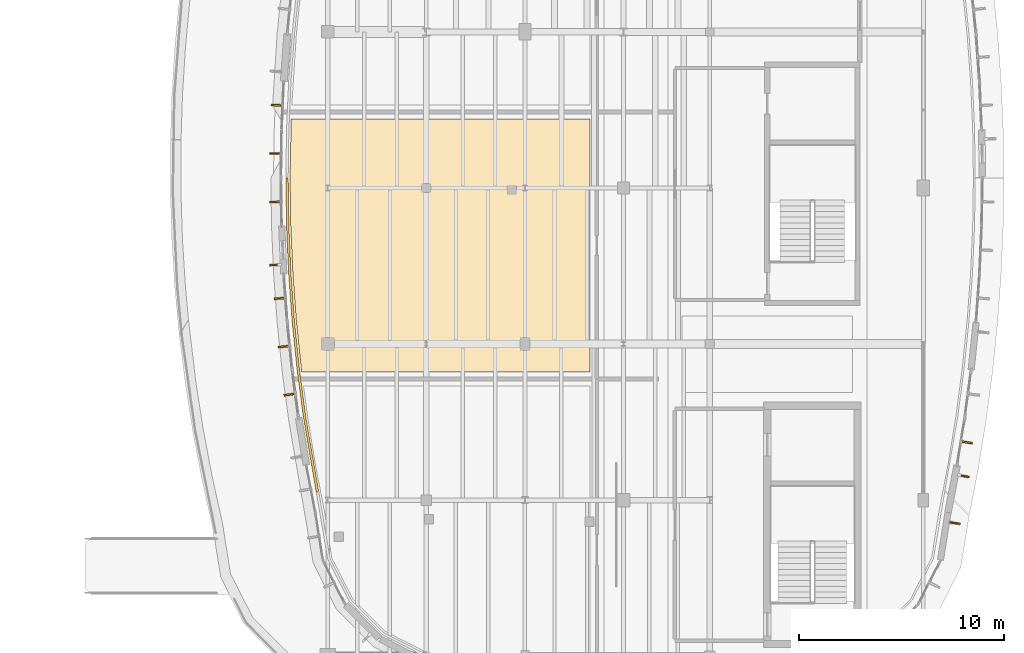
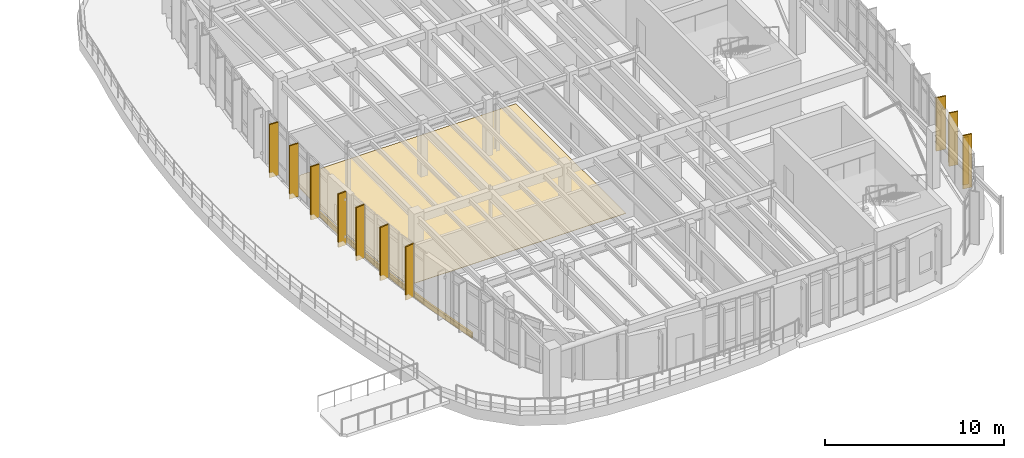
# One storey, part 101 of 105: 12 coverings, 3 shading devices.
"""IFC4 building model written with IfcOpenShell, lengths in metres."""

from ifc_helpers import new_model, si_unit, direction, frame, origin, origin_2d, place, context, subcontext, project, spatial, polyline, rectangle, outline, extrude, material, layer, layer_set, type_object, element, save


model = new_model("IFC4")

# Units and contexts
model_context = context("Model", 3, precision=1e-05, world=origin(), true_north=direction((0.0, 1.0)))
body_context = subcontext(model_context, "Body", "Model", "MODEL_VIEW")
ifc_project = project(units=[si_unit("LENGTHUNIT", "METRE"), si_unit("AREAUNIT", "SQUARE_METRE"), si_unit("VOLUMEUNIT", "CUBIC_METRE"), si_unit("PLANEANGLEUNIT", "RADIAN"), si_unit("MASSUNIT", "GRAM", prefix="KILO")], contexts=[model_context])

# Site, building, storey
site_placement = place(None, origin())
site = spatial("IfcSite", under=ifc_project, at=site_placement, CompositionType="ELEMENT")
building_placement = place(site_placement, origin())
building = spatial("IfcBuilding", under=site, at=building_placement, Name="Corveleigh Park Community Centre", CompositionType="ELEMENT")
storey_placement = place(building_placement, frame((0.0, 0.0, 8.699951171875)))
storey = spatial("IfcBuildingStorey", under=building, at=storey_placement, Name="L02", CompositionType="ELEMENT", Elevation=8.699951171875)

# Coverings
ifc_material_1 = material(Name="Warm buff ribbed architectural cladding", Category="masonry")
ifc_layer_1 = layer(ifc_material_1, 0.0849609375, Name="Warm buff ribbed architectural cladding", Category="masonry")
ifc_layer_set_1 = layer_set([ifc_layer_1], Name="Warm buff ribbed architectural cladding")
covering_type_1 = type_object("IfcCoveringType", Name="COV-CLD-BUF", PredefinedType="CLADDING", material=ifc_layer_set_1)
covering_1_placement = place(storey_placement, origin())
element("IfcCovering", 1, at=covering_1_placement, inside=storey, type_object=covering_type_1, Name="V4 L02 Brise-soleil blade 378", PredefinedType="CLADDING", context=body_context, shape_type="SweptSolid", body=[
    extrude(outline(polyline([(169.6689453125, 65.1669921875), (169.655029296875, 65.0830078125), (170.18408203125, 65.0), (170.197021484375, 65.083984375), (169.6689453125, 65.1669921875)])), origin(), (0.0, 0.0, 1.0), 3.64208984375),
])
covering_2_placement = place(storey_placement, origin())
element("IfcCovering", 2, at=covering_2_placement, inside=storey, type_object=covering_type_1, Name="V4 L02 Brise-soleil blade 379", PredefinedType="CLADDING", context=body_context, shape_type="SweptSolid", body=[
    extrude(outline(polyline([(170.10693359375, 67.466064453125), (170.091064453125, 67.383056640625), (170.616943359375, 67.281982421875), (170.633056640625, 67.364990234375), (170.10693359375, 67.466064453125)])), origin(), (0.0, 0.0, 1.0), 3.64208984375),
])
covering_3_placement = place(storey_placement, origin())
element("IfcCovering", 3, at=covering_3_placement, inside=storey, type_object=covering_type_1, Name="V4 L02 Brise-soleil blade 380", PredefinedType="CLADDING", context=body_context, shape_type="SweptSolid", body=[
    extrude(outline(polyline([(170.218994140625, 69.10498046875), (170.205078125, 69.02099609375), (170.778076171875, 68.927978515625), (170.7919921875, 69.011962890625), (170.218994140625, 69.10498046875)])), origin(), (0.0, 0.0, 1.0), 3.64208984375),
])
covering_4_placement = place(storey_placement, origin())
element("IfcCovering", 4, at=covering_4_placement, inside=storey, type_object=covering_type_1, Name="V4 L02 Brise-soleil blade 415", PredefinedType="CLADDING", context=body_context, shape_type="SweptSolid", body=[
    extrude(outline(polyline([(137.22705078125, 85.373046875), (137.22998046875, 85.4580078125), (136.65087890625, 85.48291015625), (136.64697265625, 85.39794921875), (137.22705078125, 85.373046875)])), origin(), (0.0, 0.0, 1.0), 3.636962890625),
])
covering_5_placement = place(storey_placement, origin())
element("IfcCovering", 5, at=covering_5_placement, inside=storey, type_object=covering_type_1, Name="V4 L02 Brise-soleil blade 416", PredefinedType="CLADDING", context=body_context, shape_type="SweptSolid", body=[
    extrude(outline(polyline([(137.158935546875, 83.030029296875), (137.160888671875, 83.114990234375), (136.5810546875, 83.123046875), (136.5791015625, 83.0380859375), (137.158935546875, 83.030029296875)])), origin(), (0.0, 0.0, 1.0), 3.636962890625),
])
covering_6_placement = place(storey_placement, origin())
element("IfcCovering", 6, at=covering_6_placement, inside=storey, type_object=covering_type_1, Name="V4 L02 Brise-soleil blade 417", PredefinedType="CLADDING", context=body_context, shape_type="SweptSolid", body=[
    extrude(outline(polyline([(137.160888671875, 80.68505859375), (137.158935546875, 80.77001953125), (136.5791015625, 80.761962890625), (136.5810546875, 80.677001953125), (137.160888671875, 80.68505859375)])), origin(), (0.0, 0.0, 1.0), 3.636962890625),
])
covering_7_placement = place(storey_placement, origin())
element("IfcCovering", 7, at=covering_7_placement, inside=storey, type_object=covering_type_1, Name="V4 L02 Brise-soleil blade 418", PredefinedType="CLADDING", context=body_context, shape_type="SweptSolid", body=[
    extrude(outline(polyline([(137.10693359375, 77.623046875), (137.10302734375, 77.7080078125), (136.569091796875, 77.68408203125), (136.572998046875, 77.59912109375), (137.10693359375, 77.623046875)])), origin(), (0.0, 0.0, 1.0), 3.636962890625),
])
covering_8_placement = place(storey_placement, origin())
element("IfcCovering", 8, at=covering_8_placement, inside=storey, type_object=covering_type_1, Name="V4 L02 Brise-soleil blade 419", PredefinedType="CLADDING", context=body_context, shape_type="SweptSolid", body=[
    extrude(outline(polyline([(137.368896484375, 76.0029296875), (137.363037109375, 76.0869140625), (136.783935546875, 76.044921875), (136.791015625, 75.9599609375), (137.368896484375, 76.0029296875)])), origin(), (0.0, 0.0, 1.0), 3.636962890625),
])
covering_9_placement = place(storey_placement, origin())
element("IfcCovering", 9, at=covering_9_placement, inside=storey, type_object=covering_type_1, Name="V4 L02 Brise-soleil blade 420", PredefinedType="CLADDING", context=body_context, shape_type="SweptSolid", body=[
    extrude(outline(polyline([(137.575927734375, 73.66796875), (137.568115234375, 73.751953125), (136.990966796875, 73.693115234375), (136.9990234375, 73.60791015625), (137.575927734375, 73.66796875)])), origin(), (0.0, 0.0, 1.0), 3.636962890625),
])
covering_10_placement = place(storey_placement, origin())
element("IfcCovering", 10, at=covering_10_placement, inside=storey, type_object=covering_type_1, Name="V4 L02 Brise-soleil blade 421", PredefinedType="CLADDING", context=body_context, shape_type="SweptSolid", body=[
    extrude(outline(polyline([(137.85107421875, 71.340087890625), (137.840087890625, 71.424072265625), (137.264892578125, 71.347900390625), (137.27587890625, 71.263916015625), (137.85107421875, 71.340087890625)])), origin(), (0.0, 0.0, 1.0), 3.636962890625),
])
ifc_material_2 = material(Name="White architectural fascia cladding", Category="masonry")
ifc_layer_2 = layer(ifc_material_2, 0.074951171875, Name="White architectural fascia cladding", Category="masonry")
ifc_layer_set_2 = layer_set([ifc_layer_2], Name="White architectural fascia cladding")
covering_type_2 = type_object("IfcCoveringType", Name="COV-CLD-WHT", PredefinedType="CLADDING", material=ifc_layer_set_2)
covering_11_placement = place(storey_placement, frame((0.0, 0.0, -0.300048828125)))
element("IfcCovering", 11, at=covering_11_placement, inside=storey, type_object=covering_type_2, Name="V4 L02 Horizontal Sun-Hood 5", PredefinedType="CLADDING", context=body_context, shape_type="SweptSolid", body=[
    extrude(outline(polyline([(138.2119140625, 70.2529296875), (137.905029296875, 72.569091796875), (137.666015625, 74.89501953125), (137.4951171875, 77.22705078125), (137.39208984375, 79.56103515625), (137.35791015625, 81.89208984375), (137.472900390625, 81.89208984375), (137.507080078125, 79.56494140625), (137.60888671875, 77.23388671875), (137.781005859375, 74.905029296875), (138.02001953125, 72.5830078125), (138.325927734375, 70.26806640625), (138.950927734375, 66.666015625), (138.843994140625, 66.56005859375), (138.2119140625, 70.2529296875)])), origin(), (0.0, 0.0, 1.0), 0.340087890625),
])
ifc_material_3 = material(Name="Acoustic linoleum flooring", Category="wood")
ifc_layer_3 = layer(ifc_material_3, 0.02490234375, Name="Acoustic linoleum flooring", Category="wood")
ifc_layer_set_3 = layer_set([ifc_layer_3], Name="Acoustic linoleum flooring")
covering_type_3 = type_object("IfcCoveringType", Name="COV-FLR-LIN", PredefinedType="FLOORING", material=ifc_layer_set_3)
covering_12_placement = place(storey_placement, origin())
element("IfcCovering", 12, at=covering_12_placement, inside=storey, type_object=covering_type_3, Name="Children Storytelling Library flooring", PredefinedType="FLOORING", context=body_context, shape_type="SweptSolid", body=[
    extrude(outline(polyline([(137.8701171875, 74.9130859375), (137.698974609375, 77.239013671875), (137.596923828125, 79.568115234375), (137.56298828125, 81.89990234375), (137.6201171875, 84.760009765625), (152.159912109375, 84.760009765625), (152.159912109375, 72.43994140625), (138.12890625, 72.43994140625), (137.8701171875, 74.9130859375)])), origin(), (0.0, 0.0, 1.0), 0.025146484375),
])

# Shading devices
ifc_material_4 = material(Name="Terracotta-anodised aluminium fin", Category="masonry")
shading_device_type_1 = type_object("IfcShadingDeviceType", Name="SHD-FIN-TER-350", PredefinedType="USERDEFINED", material=ifc_material_4)
shading_device_1_placement = place(storey_placement, frame((169.84912109375, 65.095947265625, 0.25), z_axis=(0.0, 0.0, 1.0), x_axis=(0.987661875101, -0.156601470208, 0.0)))
element("IfcShadingDevice", 13, at=shading_device_1_placement, inside=storey, type_object=shading_device_type_1, Name="Terracotta brise-soleil fin 75", ObjectType="FIN", PredefinedType="USERDEFINED", context=body_context, shape_type="SweptSolid", body=[
    extrude(rectangle(XDim=0.35009765625, YDim=0.06005859375, at=origin_2d()), origin(), (0.0, 0.0, 1.0), 3.241943359375),
])
shading_device_type_2 = type_object("IfcShadingDeviceType", Name="SHD-FIN-TER-450", PredefinedType="USERDEFINED", material=ifc_material_4)
shading_device_2_placement = place(storey_placement, frame((170.285888671875, 67.388916015625, 0.25), z_axis=(0.0, 0.0, 1.0), x_axis=(0.981960439775, -0.189086474176, 0.0)))
element("IfcShadingDevice", 14, at=shading_device_2_placement, inside=storey, type_object=shading_device_type_2, Name="Terracotta brise-soleil fin 76", ObjectType="FIN", PredefinedType="USERDEFINED", context=body_context, shape_type="SweptSolid", body=[
    extrude(rectangle(XDim=0.449951171875, YDim=0.06494140625, at=origin_2d()), origin(), (0.0, 0.0, 1.0), 3.241943359375),
])
shading_device_3_placement = place(storey_placement, frame((136.9150390625, 77.656982421875, 0.25), z_axis=(0.0, 0.0, 1.0), x_axis=(-0.999019307224, -0.044276673248, 0.0)))
element("IfcShadingDevice", 15, at=shading_device_3_placement, inside=storey, type_object=shading_device_type_2, Name="Terracotta brise-soleil fin 86", ObjectType="FIN", PredefinedType="USERDEFINED", context=body_context, shape_type="SweptSolid", body=[
    extrude(rectangle(XDim=0.449951171875, YDim=0.06494140625, at=origin_2d()), origin(), (0.0, 0.0, 1.0), 3.237060546875),
])

save(model, "model.ifc")
